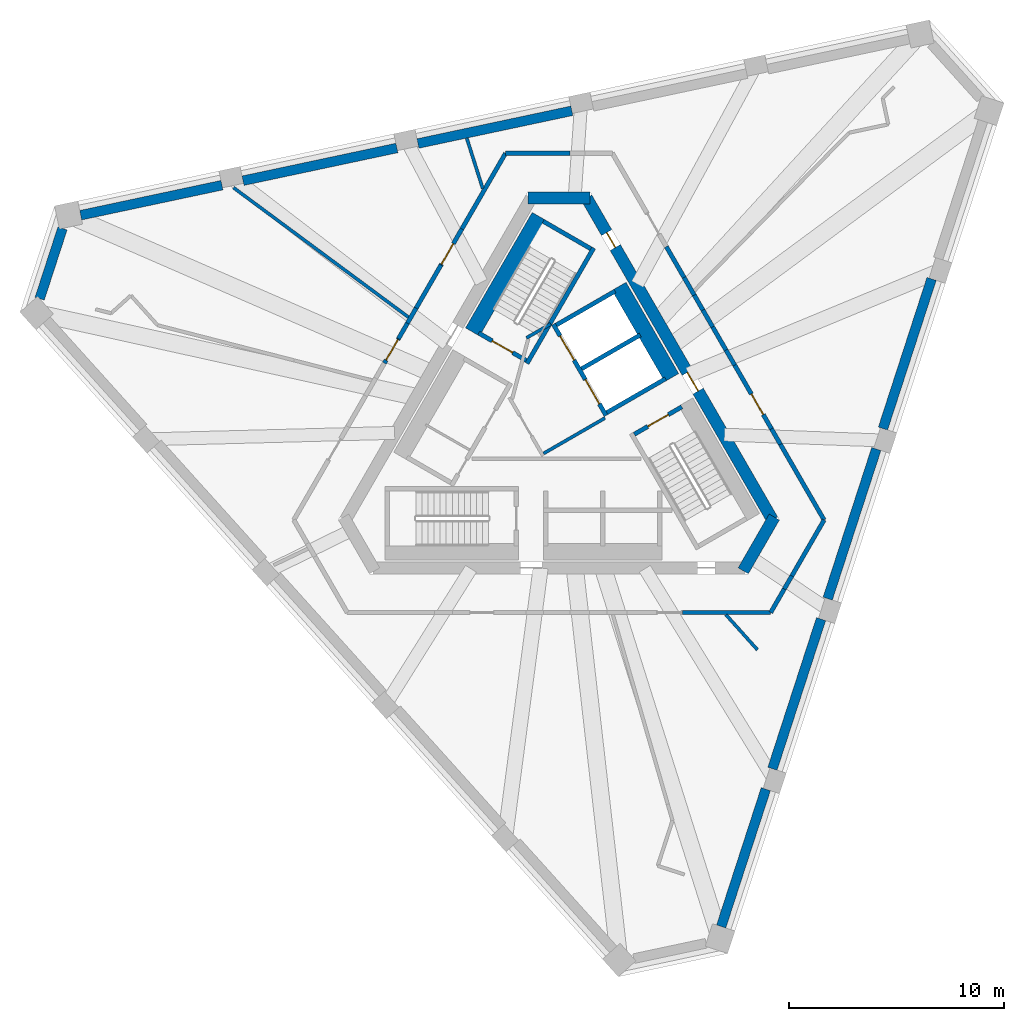
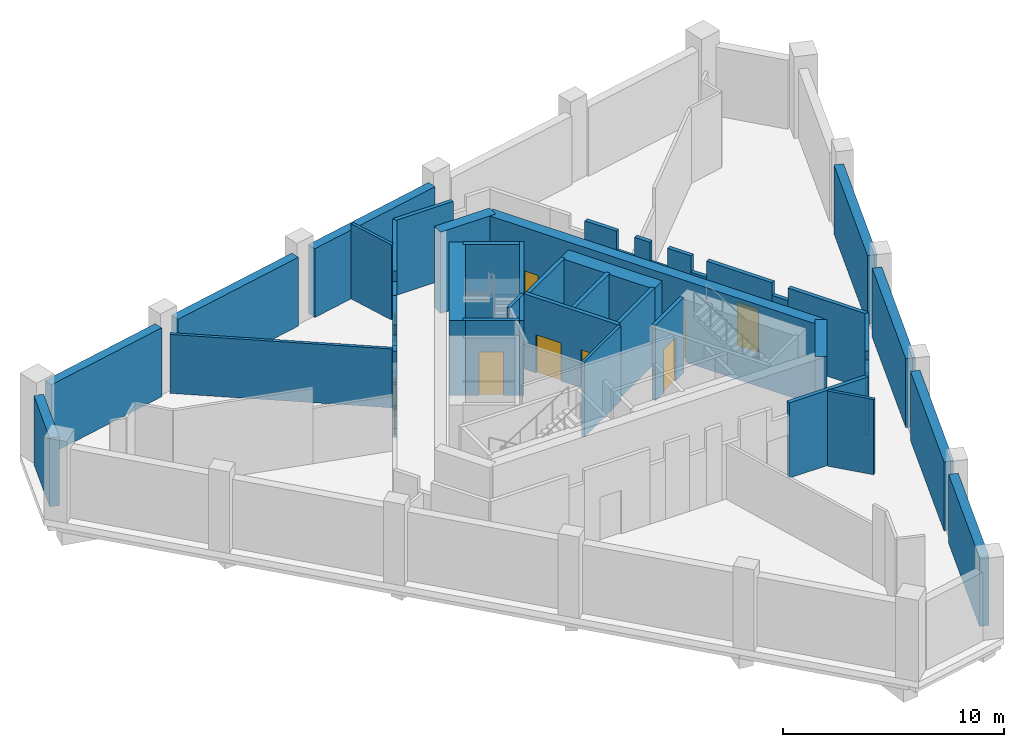
# One storey, part 3 of 5: 46 walls, 9 doors, 9 openings.
"""IFC4 building model written with IfcOpenShell, lengths in metres."""

from ifc_helpers import new_model, si_unit, direction, frame, frame_2d, origin, place, context, subcontext, project, spatial, polyline, rectangle, outline, extrude, material, layer, layer_set, type_object, element, fill, save


model = new_model("IFC4")

# Units and contexts
model_context = context("Model", 3, precision=1e-05, world=origin(), true_north=direction((0.0, 1.0)))
body_context = subcontext(model_context, "Body", "Model", "MODEL_VIEW")
ifc_project = project(units=[si_unit("LENGTHUNIT", "METRE"), si_unit("AREAUNIT", "SQUARE_METRE"), si_unit("VOLUMEUNIT", "CUBIC_METRE"), si_unit("PLANEANGLEUNIT", "RADIAN"), si_unit("MASSUNIT", "GRAM", prefix="KILO")], contexts=[model_context])

# Site, building, storey
site_placement = place(None, origin())
site = spatial("IfcSite", under=ifc_project, at=site_placement, CompositionType="ELEMENT")
building_placement = place(site_placement, origin())
building = spatial("IfcBuilding", under=site, at=building_placement, Name="Tramontana Tower", CompositionType="ELEMENT")
storey_placement = place(building_placement, frame((0.0, 0.0, 352.39990234375)))
storey = spatial("IfcBuildingStorey", under=building, at=storey_placement, Name="L81", CompositionType="ELEMENT", Elevation=352.39990234375)

# Walls
ifc_material_1 = material(Name="Concrete 70 MPa", Category="concrete")
ifc_layer_1 = layer(ifc_material_1, 0.550048828125)
ifc_layer_set_1 = layer_set([ifc_layer_1], Name="Core wall 550 70 MPa")
wall_type_1 = type_object("IfcWallType", Name="Core wall 550 70 MPa", PredefinedType="SHEAR", material=ifc_layer_set_1)
for number, where, z_axis, x_axis, name in (
    (1, (1.443359375, 10.72509765625, 0.0), (0.0, 0.0, 1.0), (-1.0, 0.0, 0.0), "Core wall C0 L81"),
    (2, (8.56640625, -6.612548828125, 0.0), (0.0, 0.0, 1.0), (0.499995765644, 0.866027848477, 0.0), "Core wall C4 L81"),
):
    element("IfcWall", number, at=place(storey_placement, frame(where, z_axis=z_axis, x_axis=x_axis)), inside=storey, type_object=wall_type_1, Name=name, PredefinedType="SHEAR", context=body_context, shape_type="SweptSolid", body=[
        extrude(rectangle(XDim=2.88671875, YDim=0.550048828125, at=frame_2d((1.443359375, 0.0))), origin(), (0.0, 0.0, 1.0), 4.5),
    ])

# Wall, openings, doors
wall_1_placement = place(storey_placement, frame((9.930419921875, -4.25, 0.0), z_axis=(0.0, 0.0, 1.0), x_axis=(-0.499994590896, 0.86602852671, 0.0)))
wall_1 = element("IfcWall", 3, at=wall_1_placement, inside=storey, type_object=wall_type_1, Name="Core wall C5 L81", PredefinedType="SHEAR", context=body_context, shape_type="SweptSolid", body=[
    extrude(rectangle(XDim=17.291748046875, YDim=0.550048828125, at=frame_2d((8.64599609375, 0.0))), origin(), (0.0, 0.0, 1.0), 4.5),
])
opening_1_placement = place(wall_1_placement, frame((6.9208984375, 0.0, 0.0)))
opening_1 = element("IfcOpeningElement", 4, at=opening_1_placement, cuts=wall_1, Name="Opening RG3", PredefinedType="OPENING", context=body_context, shape_type="SweptSolid", body=[
    extrude(rectangle(XDim=1.0, YDim=2.39990234375, at=frame_2d((0.5, 1.199951171875))), frame((0.0, 0.284912109375, 0.0), z_axis=(0.0, -1.0, 0.0), x_axis=(1.0, 0.0, 0.0)), (0.0, 0.0, 1.0), 0.570068359375),
])
opening_2_placement = place(wall_1_placement, frame((14.625732421875, 0.0, 0.0)))
opening_2 = element("IfcOpeningElement", 5, at=opening_2_placement, cuts=wall_1, Name="Opening PD3", PredefinedType="OPENING", context=body_context, shape_type="SweptSolid", body=[
    extrude(rectangle(XDim=0.800048828125, YDim=2.10009765625, at=frame_2d((0.39990234375, 1.050048828125))), frame((0.0, 0.284912109375, 0.0), z_axis=(0.0, -1.0, 0.0), x_axis=(1.0, 0.0, 0.0)), (0.0, 0.0, 1.0), 0.570068359375),
])
ifc_material_2 = material(Name="Painted steel", Category="steel")
door_type_1 = type_object("IfcDoorType", Name="CUPBOARD DOOR 800", OperationType="SINGLE_SWING_LEFT", PredefinedType="DOOR", material=ifc_material_2)
door_1_placement = place(opening_2_placement, origin())
door_1 = element("IfcDoor", 6, at=door_1_placement, inside=storey, type_object=door_type_1, Name="Door PD3", OperationType="SINGLE_SWING_RIGHT", OverallHeight=2.10009765625, OverallWidth=0.800048828125, PredefinedType="DOOR", context=body_context, shape_type="SweptSolid", body=[
    extrude(rectangle(XDim=0.800048828125, YDim=2.10009765625, at=frame_2d((0.39990234375, 1.050048828125))), frame((0.0, 0.02490234375, 0.0), z_axis=(0.0, -1.0, 0.0), x_axis=(1.0, 0.0, 0.0)), (0.0, 0.0, 1.0), 0.050048828125),
])
fill(opening_2, door_1)
ifc_material_3 = material(Name="Painted steel", Category="steel")
door_type_2 = type_object("IfcDoorType", Name="RING DOOR 1000", OperationType="SINGLE_SWING_LEFT", PredefinedType="DOOR", material=ifc_material_3)
door_2_placement = place(opening_1_placement, origin())
door_2 = element("IfcDoor", 7, at=door_2_placement, inside=storey, type_object=door_type_2, Name="Door RG3", OperationType="SINGLE_SWING_RIGHT", OverallHeight=2.39990234375, OverallWidth=1.0, PredefinedType="DOOR", context=body_context, shape_type="SweptSolid", body=[
    extrude(rectangle(XDim=1.0, YDim=2.39990234375, at=frame_2d((0.5, 1.199951171875))), frame((0.0, 0.02490234375, 0.0), z_axis=(0.0, -1.0, 0.0), x_axis=(1.0, 0.0, 0.0)), (0.0, 0.0, 1.0), 0.050048828125),
])
fill(opening_1, door_2)

# Walls
ifc_material_4 = material(Name="Blockwork", Category="masonry")
ifc_layer_2 = layer(ifc_material_4, 0.199951171875)
ifc_layer_set_2 = layer_set([ifc_layer_2], Name="ENTRY WALL 200")
wall_type_2 = type_object("IfcWallType", Name="ENTRY WALL 200", PredefinedType="SOLIDWALL", material=ifc_layer_set_2)
wall_2_placement = place(storey_placement, frame((12.326416015625, -4.25, 0.0), z_axis=(0.0, 0.0, 1.0), x_axis=(-0.500003959331, -0.866023117852, 0.0)))
element("IfcWall", 8, at=wall_2_placement, inside=storey, type_object=wall_type_2, Name="Wall ew0-0", PredefinedType="SOLIDWALL", context=body_context, shape_type="SweptSolid", body=[
    extrude(rectangle(XDim=3.0029296875, YDim=0.199951171875, at=frame_2d((1.50146484375, 0.0))), origin(), (0.0, 0.0, 1.0), 4.150146484375),
])
wall_3_placement = place(storey_placement, frame((10.824951171875, -6.8505859375, 0.0), z_axis=(0.0, 0.0, 1.0), x_axis=(-0.500144223137, -0.865942120504, 0.0)))
element("IfcWall", 9, at=wall_3_placement, inside=storey, type_object=wall_type_2, Name="Wall ew0-1", PredefinedType="SOLIDWALL", context=body_context, shape_type="SweptSolid", body=[
    extrude(rectangle(XDim=0.701416015625, YDim=0.199951171875, at=frame_2d((0.3505859375, 0.0))), origin(), (0.0, 0.0, 1.0), 3.4501953125),
])
wall_4_placement = place(storey_placement, frame((10.47412109375, -7.4580078125, 0.0), z_axis=(0.0, 0.0, 1.0), x_axis=(-0.499929168788, -0.866066294342, 0.0)))
element("IfcWall", 10, at=wall_4_placement, inside=storey, type_object=wall_type_2, Name="Wall ew0-2", PredefinedType="SOLIDWALL", context=body_context, shape_type="SweptSolid", body=[
    extrude(rectangle(XDim=1.260986328125, YDim=0.199951171875, at=frame_2d((0.63037109375, 0.0))), origin(), (0.0, 0.0, 1.0), 4.150146484375),
])
wall_5_placement = place(storey_placement, frame((9.84375, -8.550048828125, 0.0), z_axis=(0.0, 0.0, 1.0), x_axis=(-1.0, 0.0, 0.0)))
element("IfcWall", 11, at=wall_5_placement, inside=storey, type_object=wall_type_2, Name="Wall ew1-0", PredefinedType="SOLIDWALL", context=body_context, shape_type="SweptSolid", body=[
    extrude(rectangle(XDim=4.11083984375, YDim=0.199951171875, at=frame_2d((2.055419921875, 0.0))), origin(), (0.0, 0.0, 1.0), 4.150146484375),
])

# Wall, opening, door
wall_6_placement = place(storey_placement, frame((-8.11572265625, 3.043212890625, 0.0), z_axis=(0.0, 0.0, 1.0), x_axis=(0.500023253097, 0.866011978186, 0.0)))
wall_6 = element("IfcWall", 12, at=wall_6_placement, inside=storey, type_object=wall_type_2, Name="Wall ew3-5", PredefinedType="SOLIDWALL", context=body_context, shape_type="SweptSolid", body=[
    extrude(outline(polyline([(0.0, 0.0), (1.3115234375, 0.0), (1.311279296875, 4.150146484375), (0.90576171875, 4.150146484375), (0.90576171875, 3.050048828125), (0.0, 3.050048828125), (0.0, 0.0)])), frame((0.0, 0.10009765625, 0.0), z_axis=(0.0, -1.0, 0.0), x_axis=(1.0, 0.0, 0.0)), (0.0, 0.0, 1.0), 0.199951171875),
])
opening_3_placement = place(wall_6_placement, frame((0.161376953125, 0.0, 0.0)))
opening_3 = element("IfcOpeningElement", 13, at=opening_3_placement, cuts=wall_6, Name="Opening L81-02", PredefinedType="OPENING", context=body_context, shape_type="SweptSolid", body=[
    extrude(rectangle(XDim=1.10009765625, YDim=2.39990234375, at=frame_2d((0.550048828125, 1.199951171875))), frame((0.0, 0.10986328125, 0.0), z_axis=(0.0, -1.0, 0.0), x_axis=(1.0, 0.0, 0.0)), (0.0, 0.0, 1.0), 0.219970703125),
])
ifc_material_5 = material(Name="Painted timber", Category="wood")
door_type_3 = type_object("IfcDoorType", Name="DOOR ENTRY 1100", OperationType="SINGLE_SWING_LEFT", PredefinedType="DOOR", material=ifc_material_5)
door_3_placement = place(opening_3_placement, origin())
door_3 = element("IfcDoor", 14, at=door_3_placement, inside=storey, type_object=door_type_3, Name="Door L81-02", OperationType="SINGLE_SWING_RIGHT", OverallHeight=2.39990234375, OverallWidth=1.10009765625, PredefinedType="DOOR", context=body_context, shape_type="SweptSolid", body=[
    extrude(rectangle(XDim=1.10009765625, YDim=2.39990234375, at=frame_2d((0.550048828125, 1.199951171875))), frame((0.0, 0.02490234375, 0.0), z_axis=(0.0, -1.0, 0.0), x_axis=(1.0, 0.0, 0.0)), (0.0, 0.0, 1.0), 0.050048828125),
])
fill(opening_3, door_3)

# Walls
wall_7_placement = place(storey_placement, frame((-7.4599609375, 4.178955078125, 0.0), z_axis=(0.0, 0.0, 1.0), x_axis=(0.499891655525, 0.866087947461, 0.0)))
element("IfcWall", 15, at=wall_7_placement, inside=storey, type_object=wall_type_2, Name="Wall ew3-6", PredefinedType="SOLIDWALL", context=body_context, shape_type="SweptSolid", body=[
    extrude(rectangle(XDim=0.832763671875, YDim=0.199951171875, at=frame_2d((0.41650390625, 0.0))), origin(), (0.0, 0.0, 1.0), 4.150146484375),
])
wall_8_placement = place(storey_placement, frame((-7.043701171875, 4.900146484375, 0.0), z_axis=(0.0, 0.0, 1.0), x_axis=(0.500141487433, 0.865943700565, 0.0)))
element("IfcWall", 16, at=wall_8_placement, inside=storey, type_object=wall_type_2, Name="Wall ew3-7", PredefinedType="SOLIDWALL", context=body_context, shape_type="SweptSolid", body=[
    extrude(rectangle(XDim=0.806884765625, YDim=0.199951171875, at=frame_2d((0.4033203125, 0.0))), origin(), (0.0, 0.0, 1.0), 3.25),
])
wall_9_placement = place(storey_placement, frame((-6.64013671875, 5.598876953125, 0.0), z_axis=(0.0, 0.0, 1.0), x_axis=(0.499999662836, 0.866025598446, 0.0)))
element("IfcWall", 17, at=wall_9_placement, inside=storey, type_object=wall_type_2, Name="Wall ew3-8", PredefinedType="SOLIDWALL", context=body_context, shape_type="SweptSolid", body=[
    extrude(rectangle(XDim=2.3125, YDim=0.199951171875, at=frame_2d((1.15625, 0.0))), origin(), (0.0, 0.0, 1.0), 4.150146484375),
])

# Wall, opening, door
wall_10_placement = place(storey_placement, frame((-5.48388671875, 7.6015625, 0.0), z_axis=(0.0, 0.0, 1.0), x_axis=(0.500002486184, 0.866023968381, 0.0)))
wall_10 = element("IfcWall", 18, at=wall_10_placement, inside=storey, type_object=wall_type_2, Name="Wall ew3-9", PredefinedType="SOLIDWALL", context=body_context, shape_type="SweptSolid", body=[
    extrude(outline(polyline([(0.0, 0.0), (1.93701171875, 0.0), (1.93701171875, 3.4501953125), (1.110595703125, 3.4501953125), (1.110595703125, 4.150146484375), (0.0, 4.150146484375), (0.0, 0.0)])), frame((0.0, 0.10009765625, 0.0), z_axis=(0.0, -1.0, 0.0), x_axis=(1.0, 0.0, 0.0)), (0.0, 0.0, 1.0), 0.199951171875),
])
opening_4_placement = place(wall_10_placement, frame((0.050048828125, 0.0, 0.0)))
opening_4 = element("IfcOpeningElement", 19, at=opening_4_placement, cuts=wall_10, Name="Opening L81-01", PredefinedType="OPENING", context=body_context, shape_type="SweptSolid", body=[
    extrude(rectangle(XDim=1.10009765625, YDim=2.39990234375, at=frame_2d((0.550048828125, 1.199951171875))), frame((0.0, 0.10986328125, 0.0), z_axis=(0.0, -1.0, 0.0), x_axis=(1.0, 0.0, 0.0)), (0.0, 0.0, 1.0), 0.219970703125),
])
door_4_placement = place(opening_4_placement, origin())
door_4 = element("IfcDoor", 20, at=door_4_placement, inside=storey, type_object=door_type_3, Name="Door L81-01", OperationType="SINGLE_SWING_LEFT", OverallHeight=2.39990234375, OverallWidth=1.10009765625, PredefinedType="DOOR", context=body_context, shape_type="SweptSolid", body=[
    extrude(rectangle(XDim=1.10009765625, YDim=2.39990234375, at=frame_2d((0.550048828125, 1.199951171875))), frame((0.0, 0.02490234375, 0.0), z_axis=(0.0, -1.0, 0.0), x_axis=(1.0, 0.0, 0.0)), (0.0, 0.0, 1.0), 0.050048828125),
])
fill(opening_4, door_4)

# Walls
wall_11_placement = place(storey_placement, frame((-4.515380859375, 9.279052734375, 0.0), z_axis=(0.0, 0.0, 1.0), x_axis=(0.499975428181, 0.866039589866, 0.0)))
element("IfcWall", 21, at=wall_11_placement, inside=storey, type_object=wall_type_2, Name="Wall ew3-10", PredefinedType="SOLIDWALL", context=body_context, shape_type="SweptSolid", body=[
    extrude(rectangle(XDim=4.065673828125, YDim=0.199951171875, at=frame_2d((2.03271484375, 0.0))), origin(), (0.0, 0.0, 1.0), 4.150146484375),
])
wall_12_placement = place(storey_placement, frame((-2.482666015625, 12.800048828125, 0.0), z_axis=(0.0, 0.0, 1.0), x_axis=(1.0, 0.0, 0.0)))
element("IfcWall", 22, at=wall_12_placement, inside=storey, type_object=wall_type_2, Name="Wall ew4-0", PredefinedType="SOLIDWALL", context=body_context, shape_type="SweptSolid", body=[
    extrude(rectangle(XDim=3.0029296875, YDim=0.199951171875, at=frame_2d((1.50146484375, 0.0))), origin(), (0.0, 0.0, 1.0), 4.150146484375),
])
wall_13_placement = place(storey_placement, frame((4.990234375, 8.45654296875, 0.0), z_axis=(0.0, 0.0, 1.0), x_axis=(0.500024536802, -0.866011236992, 0.0)))
element("IfcWall", 23, at=wall_13_placement, inside=storey, type_object=wall_type_2, Name="Wall ew5-2", PredefinedType="SOLIDWALL", context=body_context, shape_type="SweptSolid", body=[
    extrude(rectangle(XDim=1.65576171875, YDim=0.199951171875, at=frame_2d((0.827880859375, 0.0))), origin(), (0.0, 0.0, 1.0), 4.150146484375),
])
wall_14_placement = place(storey_placement, frame((5.818115234375, 7.022705078125, 0.0), z_axis=(0.0, 0.0, 1.0), x_axis=(0.500006071987, -0.866021898093, 0.0)))
element("IfcWall", 24, at=wall_14_placement, inside=storey, type_object=wall_type_2, Name="Wall ew5-3", PredefinedType="SOLIDWALL", context=body_context, shape_type="SweptSolid", body=[
    extrude(rectangle(XDim=0.94384765625, YDim=0.199951171875, at=frame_2d((0.471923828125, 0.0))), origin(), (0.0, 0.0, 1.0), 3.050048828125),
])
wall_15_placement = place(storey_placement, frame((6.2900390625, 6.205322265625, 0.0), z_axis=(0.0, 0.0, 1.0), x_axis=(0.500045602705, -0.86599907345, 0.0)))
element("IfcWall", 25, at=wall_15_placement, inside=storey, type_object=wall_type_2, Name="Wall ew5-4", PredefinedType="SOLIDWALL", context=body_context, shape_type="SweptSolid", body=[
    extrude(rectangle(XDim=0.806640625, YDim=0.199951171875, at=frame_2d((0.4033203125, 0.0))), origin(), (0.0, 0.0, 1.0), 4.150146484375),
])
wall_16_placement = place(storey_placement, frame((6.693359375, 5.5068359375, 0.0), z_axis=(0.0, 0.0, 1.0), x_axis=(0.499994660107, -0.866028486751, 0.0)))
element("IfcWall", 26, at=wall_16_placement, inside=storey, type_object=wall_type_2, Name="Wall ew5-5", PredefinedType="SOLIDWALL", context=body_context, shape_type="SweptSolid", body=[
    extrude(rectangle(XDim=0.90576171875, YDim=0.199951171875, at=frame_2d((0.452880859375, 0.0))), origin(), (0.0, 0.0, 1.0), 3.050048828125),
])
wall_17_placement = place(storey_placement, frame((7.146240234375, 4.722412109375, 0.0), z_axis=(0.0, 0.0, 1.0), x_axis=(0.499955681623, -0.866050989499, 0.0)))
element("IfcWall", 27, at=wall_17_placement, inside=storey, type_object=wall_type_2, Name="Wall ew5-6", PredefinedType="SOLIDWALL", context=body_context, shape_type="SweptSolid", body=[
    extrude(rectangle(XDim=1.23828125, YDim=0.199951171875, at=frame_2d((0.619140625, 0.0))), origin(), (0.0, 0.0, 1.0), 4.150146484375),
])
wall_18_placement = place(storey_placement, frame((7.765380859375, 3.64990234375, 0.0), z_axis=(0.0, 0.0, 1.0), x_axis=(0.500141487433, -0.865943700565, 0.0)))
element("IfcWall", 28, at=wall_18_placement, inside=storey, type_object=wall_type_2, Name="Wall ew5-7", PredefinedType="SOLIDWALL", context=body_context, shape_type="SweptSolid", body=[
    extrude(rectangle(XDim=0.806884765625, YDim=0.199951171875, at=frame_2d((0.4033203125, 0.0))), origin(), (0.0, 0.0, 1.0), 3.25),
])

# Wall, opening, door
wall_19_placement = place(storey_placement, frame((8.1689453125, 2.951171875, 0.0), z_axis=(0.0, 0.0, 1.0), x_axis=(0.499959115548, -0.866049007147, 0.0)))
wall_19 = element("IfcWall", 29, at=wall_19_placement, inside=storey, type_object=wall_type_2, Name="Wall ew5-8", PredefinedType="SOLIDWALL", context=body_context, shape_type="SweptSolid", body=[
    extrude(rectangle(XDim=3.423095703125, YDim=0.199951171875, at=frame_2d((1.71142578125, 0.0))), origin(), (0.0, 0.0, 1.0), 4.150146484375),
])
opening_5_placement = place(wall_19_placement, frame((1.55810546875, 0.0, 0.0)))
opening_5 = element("IfcOpeningElement", 30, at=opening_5_placement, cuts=wall_19, Name="Opening L81-06", PredefinedType="OPENING", context=body_context, shape_type="SweptSolid", body=[
    extrude(rectangle(XDim=1.10009765625, YDim=2.39990234375, at=frame_2d((0.550048828125, 1.199951171875))), frame((0.0, 0.10986328125, 0.0), z_axis=(0.0, -1.0, 0.0), x_axis=(1.0, 0.0, 0.0)), (0.0, 0.0, 1.0), 0.219970703125),
])
door_5_placement = place(opening_5_placement, origin())
door_5 = element("IfcDoor", 31, at=door_5_placement, inside=storey, type_object=door_type_3, Name="Door L81-06", OperationType="SINGLE_SWING_RIGHT", OverallHeight=2.39990234375, OverallWidth=1.10009765625, PredefinedType="DOOR", context=body_context, shape_type="SweptSolid", body=[
    extrude(rectangle(XDim=1.10009765625, YDim=2.39990234375, at=frame_2d((0.550048828125, 1.199951171875))), frame((0.0, 0.02490234375, 0.0), z_axis=(0.0, -1.0, 0.0), x_axis=(1.0, 0.0, 0.0)), (0.0, 0.0, 1.0), 0.050048828125),
])
fill(opening_5, door_5)

# Walls
wall_20_placement = place(storey_placement, frame((9.88037109375, -0.013427734375, 0.0), z_axis=(0.0, 0.0, 1.0), x_axis=(0.499952654668, -0.866052736899, 0.0)))
element("IfcWall", 32, at=wall_20_placement, inside=storey, type_object=wall_type_2, Name="Wall ew5-9", PredefinedType="SOLIDWALL", context=body_context, shape_type="SweptSolid", body=[
    extrude(rectangle(XDim=0.826171875, YDim=0.199951171875, at=frame_2d((0.4130859375, 0.0))), origin(), (0.0, 0.0, 1.0), 3.4501953125),
])
wall_21_placement = place(storey_placement, frame((10.29345703125, -0.72900390625, 0.0), z_axis=(0.0, 0.0, 1.0), x_axis=(0.50002046505, -0.86601358796, 0.0)))
element("IfcWall", 33, at=wall_21_placement, inside=storey, type_object=wall_type_2, Name="Wall ew5-10", PredefinedType="SOLIDWALL", context=body_context, shape_type="SweptSolid", body=[
    extrude(rectangle(XDim=4.065673828125, YDim=0.199951171875, at=frame_2d((2.03271484375, 0.0))), origin(), (0.0, 0.0, 1.0), 4.150146484375),
])
ifc_material_6 = material(Name="Precast concrete 60 MPa", Category="concrete")
ifc_layer_3 = layer(ifc_material_6, 0.449951171875)
ifc_layer_set_3 = layer_set([ifc_layer_3], Name="Precast concrete 60 MPa, 450 mm")
wall_type_3 = type_object("IfcWallType", Name="EW1 Stone-faced precast wall 450", PredefinedType="SOLIDWALL", material=ifc_layer_set_3)
wall_22_placement = place(storey_placement, frame((-23.0791015625, 9.304931640625, 0.0), z_axis=(0.0, 0.0, 1.0), x_axis=(-0.309076430482, -0.95103720228, 0.0)))
element("IfcWall", 34, at=wall_22_placement, inside=storey, type_object=wall_type_3, Name="Stone band wall L81 face 0k 1", PredefinedType="SOLIDWALL", context=body_context, shape_type="SweptSolid", body=[
    extrude(rectangle(XDim=3.435302734375, YDim=0.449951171875, at=frame_2d((1.7177734375, 0.0))), origin(), (0.0, 0.0, 1.0), 3.800048828125),
])
wall_23_placement = place(storey_placement, frame((7.541015625, -23.14794921875, 0.0), z_axis=(0.0, 0.0, 1.0), x_axis=(0.309018647645, 0.951055979114, 0.0)))
element("IfcWall", 35, at=wall_23_placement, inside=storey, type_object=wall_type_3, Name="Stone band wall L81 face 1s 1", PredefinedType="SOLIDWALL", context=body_context, shape_type="SweptSolid", body=[
    extrude(rectangle(XDim=6.7138671875, YDim=0.449951171875, at=frame_2d((3.35693359375, 0.0))), origin(), (0.0, 0.0, 1.0), 3.800048828125),
])
for number, where, z_axis, x_axis, name in (
    (36, (9.9248046875, -15.8115234375, 0.0), (0.0, 0.0, 1.0), (0.309008326872, 0.951059332494, 0.0), "Stone band wall L81 face 1s 2"),
    (37, (12.493896484375, -7.904541015625, 0.0), (0.0, 0.0, 1.0), (0.309008326872, 0.951059332494, 0.0), "Stone band wall L81 face 1s 3"),
    (38, (15.06298828125, 0.00244140625, 0.0), (0.0, 0.0, 1.0), (0.309008326872, 0.951059332494, 0.0), "Stone band wall L81 face 1s 4"),
):
    element("IfcWall", number, at=place(storey_placement, frame(where, z_axis=z_axis, x_axis=x_axis)), inside=storey, type_object=wall_type_3, Name=name, PredefinedType="SOLIDWALL", context=body_context, shape_type="SweptSolid", body=[
        extrude(rectangle(XDim=7.313720703125, YDim=0.449951171875, at=frame_2d((3.65673828125, 0.0))), origin(), (0.0, 0.0, 1.0), 3.800048828125),
    ])
wall_24_placement = place(storey_placement, frame((-15.665771484375, 11.315185546875, 0.0), z_axis=(0.0, 0.0, 1.0), x_axis=(-0.978144338977, -0.207927035587, 0.0)))
element("IfcWall", 39, at=wall_24_placement, inside=storey, type_object=wall_type_3, Name="Stone band wall L81 face 2s 1", PredefinedType="SOLIDWALL", context=body_context, shape_type="SweptSolid", body=[
    extrude(rectangle(XDim=6.7138671875, YDim=0.449951171875, at=frame_2d((3.35693359375, 0.0))), origin(), (0.0, 0.0, 1.0), 3.800048828125),
])
for number, where, z_axis, x_axis, name in (
    (40, (-7.533447265625, 13.043701171875, 0.0), (0.0, 0.0, 1.0), (-0.978151299843, -0.207894287118, 0.0), "Stone band wall L81 face 2s 2"),
    (41, (0.5986328125, 14.772216796875, 0.0), (0.0, 0.0, 1.0), (-0.978151299843, -0.207894287118, 0.0), "Stone band wall L81 face 2s 3"),
):
    element("IfcWall", number, at=place(storey_placement, frame(where, z_axis=z_axis, x_axis=x_axis)), inside=storey, type_object=wall_type_3, Name=name, PredefinedType="SOLIDWALL", context=body_context, shape_type="SweptSolid", body=[
        extrude(rectangle(XDim=7.31396484375, YDim=0.449951171875, at=frame_2d((3.656982421875, 0.0))), origin(), (0.0, 0.0, 1.0), 3.800048828125),
    ])
ifc_material_7 = material(Name="Gypsum board partition")
ifc_layer_4 = layer(ifc_material_7, 0.14990234375)
ifc_layer_set_4 = layer_set([ifc_layer_4], Name="PARTITION 150")
wall_type_4 = type_object("IfcWallType", Name="PARTITION 150", PredefinedType="PARTITIONING", material=ifc_layer_set_4)
wall_25_placement = place(storey_placement, frame((-0.716796875, -1.15869140625, 0.0), z_axis=(0.0, 0.0, 1.0), x_axis=(0.866008176907, 0.50002983664, 0.0)))
element("IfcWall", 42, at=wall_25_placement, inside=storey, type_object=wall_type_4, Name="Wall ff-end0", PredefinedType="PARTITIONING", context=body_context, shape_type="SweptSolid", body=[
    extrude(rectangle(XDim=3.300048828125, YDim=0.14990234375, at=frame_2d((1.64990234375, 0.0))), origin(), (0.0, 0.0, 1.0), 4.150146484375),
])
wall_26_placement = place(storey_placement, frame((-1.509765625, 4.21484375, 0.0), z_axis=(0.0, 0.0, 1.0), x_axis=(0.866085525409, 0.49989585183, 0.0)))
element("IfcWall", 43, at=wall_26_placement, inside=storey, type_object=wall_type_4, Name="Wall ff-end1", PredefinedType="PARTITIONING", context=body_context, shape_type="SweptSolid", body=[
    extrude(rectangle(XDim=1.300048828125, YDim=0.14990234375, at=frame_2d((0.64990234375, 0.0))), origin(), (0.0, 0.0, 1.0), 4.150146484375),
])
wall_27_placement = place(storey_placement, frame((-6.997802734375, 5.1796875, 0.0), z_axis=(0.0, 0.0, 1.0), x_axis=(-0.803760198744, 0.594953395582, 0.0)))
element("IfcWall", 44, at=wall_27_placement, inside=storey, type_object=wall_type_4, Name="Wall fw-pw06-0", PredefinedType="PARTITIONING", context=body_context, shape_type="SweptSolid", body=[
    extrude(rectangle(XDim=10.1171875, YDim=0.14990234375, at=frame_2d((5.05859375, 0.0))), origin(), (0.0, 0.0, 1.0), 3.25),
])
wall_28_placement = place(storey_placement, frame((-4.286865234375, 13.503662109375, 0.0), z_axis=(0.0, 0.0, 1.0), x_axis=(0.302539003628, -0.953137005516, 0.0)))
element("IfcWall", 45, at=wall_28_placement, inside=storey, type_object=wall_type_4, Name="Wall fw-pw07", PredefinedType="PARTITIONING", context=body_context, shape_type="SweptSolid", body=[
    extrude(rectangle(XDim=2.45654296875, YDim=0.14990234375, at=frame_2d((1.228271484375, 0.0))), origin(), (0.0, 0.0, 1.0), 4.150146484375),
])
wall_29_placement = place(storey_placement, frame((7.76025390625, -8.650146484375, 0.0), z_axis=(0.0, 0.0, 1.0), x_axis=(0.667813245051, -0.744328872028, 0.0)))
element("IfcWall", 46, at=wall_29_placement, inside=storey, type_object=wall_type_4, Name="Wall fw-pw12", PredefinedType="PARTITIONING", context=body_context, shape_type="SweptSolid", body=[
    extrude(rectangle(XDim=2.192138671875, YDim=0.14990234375, at=frame_2d((1.09619140625, 0.0))), origin(), (0.0, 0.0, 1.0), 4.150146484375),
])
ifc_material_8 = material(Name="Concrete 70 MPa", Category="concrete")
ifc_layer_5 = layer(ifc_material_8, 0.75)
ifc_layer_set_5 = layer_set([ifc_layer_5], Name="Concrete 70 MPa, 750 mm")
wall_type_5 = type_object("IfcWallType", Name="RC SHAFT BACK WALL 750", PredefinedType="SOLIDWALL", material=ifc_layer_set_5)
wall_30_placement = place(storey_placement, frame((-0.91796875, 9.85986328125, 0.0), z_axis=(0.0, 0.0, 1.0), x_axis=(-0.500026960575, -0.86600983753, 0.0)))
element("IfcWall", 47, at=wall_30_placement, inside=storey, type_object=wall_type_5, Name="Wall st1-back", PredefinedType="SOLIDWALL", context=body_context, shape_type="SweptSolid", body=[
    extrude(rectangle(XDim=6.199951171875, YDim=0.75, at=frame_2d((3.10009765625, 0.0))), origin(), (0.0, 0.0, 1.0), 4.150146484375),
])
wall_31_placement = place(storey_placement, frame((5.242919921875, 2.368896484375, 0.0), z_axis=(0.0, 0.0, 1.0), x_axis=(-0.500002801628, 0.866023786258, 0.0)))
element("IfcWall", 48, at=wall_31_placement, inside=storey, type_object=wall_type_5, Name="Wall row2-back", PredefinedType="SOLIDWALL", context=body_context, shape_type="SweptSolid", body=[
    extrude(rectangle(XDim=4.89990234375, YDim=0.75, at=frame_2d((2.449951171875, 0.0))), origin(), (0.0, 0.0, 1.0), 4.150146484375),
])
ifc_material_9 = material(Name="Concrete 70 MPa", Category="concrete")
ifc_layer_6 = layer(ifc_material_9, 0.199951171875)
ifc_layer_set_6 = layer_set([ifc_layer_6], Name="Concrete 70 MPa, 200 mm")
wall_type_6 = type_object("IfcWallType", Name="RC STAIR AND SHAFT WALL 200", PredefinedType="SOLIDWALL", material=ifc_layer_set_6)
wall_32_placement = place(storey_placement, frame((1.615234375, 8.3974609375, 0.0), z_axis=(0.0, 0.0, 1.0), x_axis=(-0.500009909098, -0.866019682689, 0.0)))
element("IfcWall", 49, at=wall_32_placement, inside=storey, type_object=wall_type_6, Name="Wall st1-front", PredefinedType="SOLIDWALL", context=body_context, shape_type="SweptSolid", body=[
    extrude(rectangle(XDim=6.199951171875, YDim=0.199951171875, at=frame_2d((3.10009765625, 0.0))), origin(), (0.0, 0.0, 1.0), 4.150146484375),
])
wall_33_placement = place(storey_placement, frame((1.478515625, 8.36083984375, 0.0), z_axis=(0.0, 0.0, 1.0), x_axis=(-0.865989465428, 0.500062241894, 0.0)))
element("IfcWall", 50, at=wall_33_placement, inside=storey, type_object=wall_type_6, Name="Wall st1-far", PredefinedType="SOLIDWALL", context=body_context, shape_type="SweptSolid", body=[
    extrude(rectangle(XDim=2.550048828125, YDim=0.199951171875, at=frame_2d((1.27490234375, 0.0))), origin(), (0.0, 0.0, 1.0), 4.150146484375),
])

# Wall, opening, door
wall_34_placement = place(storey_placement, frame((-1.521484375, 3.164794921875, 0.0), z_axis=(0.0, 0.0, 1.0), x_axis=(-0.866030925526, 0.499990435942, 0.0)))
wall_34 = element("IfcWall", 51, at=wall_34_placement, inside=storey, type_object=wall_type_6, Name="Wall st1-near", PredefinedType="SOLIDWALL", context=body_context, shape_type="SweptSolid", body=[
    extrude(rectangle(XDim=2.5498046875, YDim=0.199951171875, at=frame_2d((1.27490234375, 0.0))), origin(), (0.0, 0.0, 1.0), 4.150146484375),
])
opening_6_placement = place(wall_34_placement, frame((0.72509765625, 0.0, 0.0)))
opening_6 = element("IfcOpeningElement", 52, at=opening_6_placement, cuts=wall_34, Name="Opening SD1", PredefinedType="OPENING", context=body_context, shape_type="SweptSolid", body=[
    extrude(rectangle(XDim=1.10009765625, YDim=2.39990234375, at=frame_2d((0.550048828125, 1.199951171875))), frame((0.0, 0.10986328125, 0.0), z_axis=(0.0, -1.0, 0.0), x_axis=(1.0, 0.0, 0.0)), (0.0, 0.0, 1.0), 0.219970703125),
])
ifc_material_10 = material(Name="Painted steel", Category="steel")
door_type_4 = type_object("IfcDoorType", Name="STAIR DOOR 1100", OperationType="SINGLE_SWING_LEFT", PredefinedType="DOOR", material=ifc_material_10)
door_6_placement = place(opening_6_placement, origin())
door_6 = element("IfcDoor", 53, at=door_6_placement, inside=storey, type_object=door_type_4, Name="Door SD1", OperationType="SINGLE_SWING_RIGHT", OverallHeight=2.39990234375, OverallWidth=1.10009765625, PredefinedType="DOOR", context=body_context, shape_type="SweptSolid", body=[
    extrude(rectangle(XDim=1.10009765625, YDim=2.39990234375, at=frame_2d((0.550048828125, 1.199951171875))), frame((0.0, 0.02490234375, 0.0), z_axis=(0.0, -1.0, 0.0), x_axis=(1.0, 0.0, 0.0)), (0.0, 0.0, 1.0), 0.050048828125),
])
fill(opening_6, door_6)

wall_35_placement = place(storey_placement, frame((3.50146484375, -0.2646484375, 0.0), z_axis=(0.0, 0.0, 1.0), x_axis=(0.866030925526, 0.499990435942, 0.0)))
wall_35 = element("IfcWall", 54, at=wall_35_placement, inside=storey, type_object=wall_type_6, Name="Wall st3-near", PredefinedType="SOLIDWALL", context=body_context, shape_type="SweptSolid", body=[
    extrude(rectangle(XDim=2.5498046875, YDim=0.199951171875, at=frame_2d((1.27490234375, 0.0))), origin(), (0.0, 0.0, 1.0), 4.150146484375),
])
opening_7_placement = place(wall_35_placement, frame((0.72509765625, 0.0, 0.0)))
opening_7 = element("IfcOpeningElement", 55, at=opening_7_placement, cuts=wall_35, Name="Opening SD3", PredefinedType="OPENING", context=body_context, shape_type="SweptSolid", body=[
    extrude(rectangle(XDim=1.10009765625, YDim=2.39990234375, at=frame_2d((0.550048828125, 1.199951171875))), frame((0.0, 0.10986328125, 0.0), z_axis=(0.0, -1.0, 0.0), x_axis=(1.0, 0.0, 0.0)), (0.0, 0.0, 1.0), 0.219970703125),
])
door_7_placement = place(opening_7_placement, origin())
door_7 = element("IfcDoor", 56, at=door_7_placement, inside=storey, type_object=door_type_4, Name="Door SD3", OperationType="SINGLE_SWING_RIGHT", OverallHeight=2.39990234375, OverallWidth=1.10009765625, PredefinedType="DOOR", context=body_context, shape_type="SweptSolid", body=[
    extrude(rectangle(XDim=1.10009765625, YDim=2.39990234375, at=frame_2d((0.550048828125, 1.199951171875))), frame((0.0, 0.02490234375, 0.0), z_axis=(0.0, -1.0, 0.0), x_axis=(1.0, 0.0, 0.0)), (0.0, 0.0, 1.0), 0.050048828125),
])
fill(opening_7, door_7)

# Wall, openings, doors
wall_36_placement = place(storey_placement, frame((2.190185546875, 0.6064453125, 0.0), z_axis=(0.0, 0.0, 1.0), x_axis=(-0.500002801628, 0.866023786258, 0.0)))
wall_36 = element("IfcWall", 57, at=wall_36_placement, inside=storey, type_object=wall_type_6, Name="Wall row2-front", PredefinedType="SOLIDWALL", context=body_context, shape_type="SweptSolid", body=[
    extrude(rectangle(XDim=4.89990234375, YDim=0.199951171875, at=frame_2d((2.449951171875, 0.0))), origin(), (0.0, 0.0, 1.0), 4.150146484375),
])
opening_8_placement = place(wall_36_placement, frame((0.625, 0.0, 0.0)))
opening_8 = element("IfcOpeningElement", 58, at=opening_8_placement, cuts=wall_36, Name="Opening LD-F1", PredefinedType="OPENING", context=body_context, shape_type="SweptSolid", body=[
    extrude(rectangle(XDim=1.300048828125, YDim=2.10009765625, at=frame_2d((0.64990234375, 1.050048828125))), frame((0.0, 0.10986328125, 0.0), z_axis=(0.0, -1.0, 0.0), x_axis=(1.0, 0.0, 0.0)), (0.0, 0.0, 1.0), 0.219970703125),
])
opening_9_placement = place(wall_36_placement, frame((2.97509765625, 0.0, 0.0)))
opening_9 = element("IfcOpeningElement", 59, at=opening_9_placement, cuts=wall_36, Name="Opening LD-F2", PredefinedType="OPENING", context=body_context, shape_type="SweptSolid", body=[
    extrude(rectangle(XDim=1.300048828125, YDim=2.10009765625, at=frame_2d((0.64990234375, 1.050048828125))), frame((0.0, 0.10986328125, 0.0), z_axis=(0.0, -1.0, 0.0), x_axis=(1.0, 0.0, 0.0)), (0.0, 0.0, 1.0), 0.219970703125),
])
ifc_material_11 = material(Name="Brushed steel", Category="steel")
door_type_5 = type_object("IfcDoorType", Name="LANDING DOOR 1300", OperationType="SINGLE_SWING_LEFT", PredefinedType="DOOR", material=ifc_material_11)
door_8_placement = place(opening_8_placement, origin())
door_8 = element("IfcDoor", 60, at=door_8_placement, inside=storey, type_object=door_type_5, Name="Door LD-F1", OperationType="SLIDING_TO_LEFT", OverallHeight=2.10009765625, OverallWidth=1.300048828125, PredefinedType="DOOR", context=body_context, shape_type="SweptSolid", body=[
    extrude(rectangle(XDim=1.300048828125, YDim=2.10009765625, at=frame_2d((0.64990234375, 1.050048828125))), frame((0.0, 0.02490234375, 0.0), z_axis=(0.0, -1.0, 0.0), x_axis=(1.0, 0.0, 0.0)), (0.0, 0.0, 1.0), 0.050048828125),
])
fill(opening_8, door_8)
door_9_placement = place(opening_9_placement, origin())
door_9 = element("IfcDoor", 61, at=door_9_placement, inside=storey, type_object=door_type_5, Name="Door LD-F2", OperationType="SLIDING_TO_RIGHT", OverallHeight=2.10009765625, OverallWidth=1.300048828125, PredefinedType="DOOR", context=body_context, shape_type="SweptSolid", body=[
    extrude(rectangle(XDim=1.300048828125, YDim=2.10009765625, at=frame_2d((0.64990234375, 1.050048828125))), frame((0.0, 0.02490234375, 0.0), z_axis=(0.0, -1.0, 0.0), x_axis=(1.0, 0.0, 0.0)), (0.0, 0.0, 1.0), 0.050048828125),
])
fill(opening_9, door_9)

# Walls
for number, where, z_axis, x_axis, name in (
    (62, (2.226806640625, 0.742919921875, 0.0), (0.0, 0.0, 1.0), (0.866035871367, 0.499981869177, 0.0), "Wall row2-side0"),
    (63, (1.0517578125, 2.778076171875, 0.0), (0.0, 0.0, 1.0), (0.866035871367, 0.499981869177, 0.0), "Wall row2-side1"),
    (64, (-0.123046875, 4.813232421875, 0.0), (0.0, 0.0, 1.0), (0.866016494683, 0.500015430699, 0.0), "Wall row2-side2"),
):
    element("IfcWall", number, at=place(storey_placement, frame(where, z_axis=z_axis, x_axis=x_axis)), inside=storey, type_object=wall_type_6, Name=name, PredefinedType="SOLIDWALL", context=body_context, shape_type="SweptSolid", body=[
        extrude(rectangle(XDim=3.14990234375, YDim=0.199951171875, at=frame_2d((1.574951171875, 0.0))), origin(), (0.0, 0.0, 1.0), 4.150146484375),
    ])

save(model, "model.ifc")
